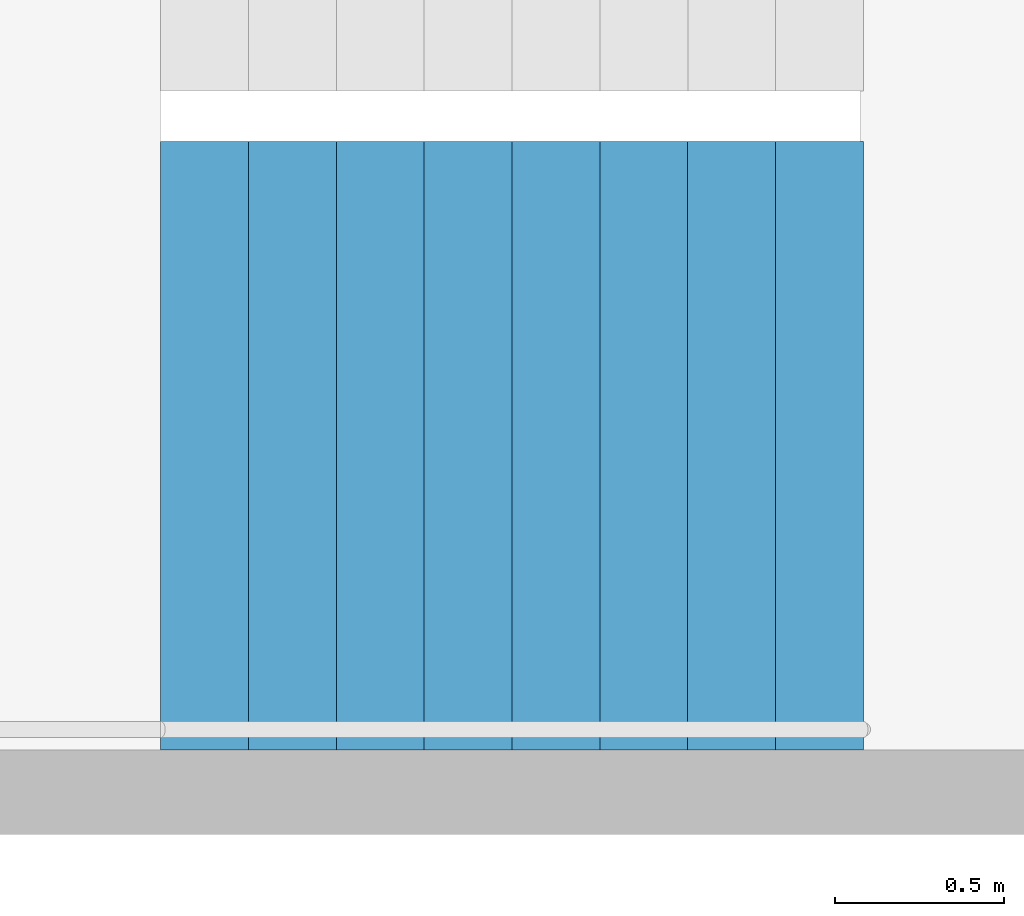
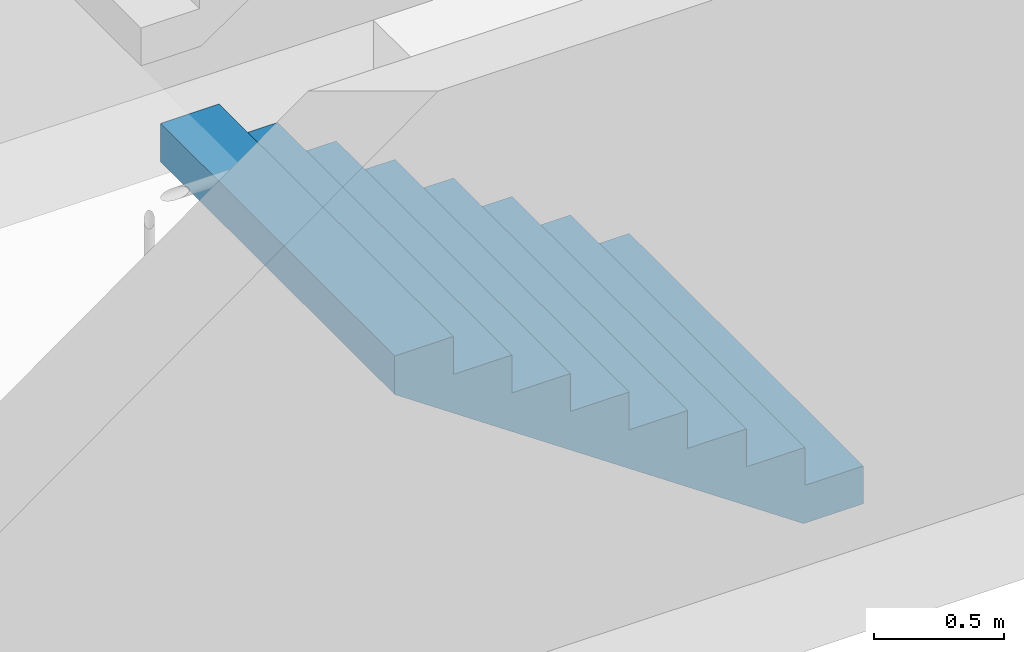
# One storey, part 27 of 29: 1 stair flight, 1 element without a shape of its own.
"""IFC4 building model written with IfcOpenShell, lengths in metres."""

from ifc_helpers import new_model, si_unit, direction, frame, origin, place, context, subcontext, project, spatial, triangles, material, type_object, element, aggregate, save


model = new_model("IFC4")

# Units and contexts
model_context = context("Model", 3, precision=1e-05, world=origin(), true_north=direction((0.0, 1.0)))
body_context = subcontext(model_context, "Body", "Model", "MODEL_VIEW")
ifc_project = project(units=[si_unit("LENGTHUNIT", "METRE"), si_unit("AREAUNIT", "SQUARE_METRE"), si_unit("VOLUMEUNIT", "CUBIC_METRE"), si_unit("PLANEANGLEUNIT", "RADIAN"), si_unit("MASSUNIT", "GRAM", prefix="KILO")], contexts=[model_context])

# Site, building, storey
site_placement = place(None, origin())
site = spatial("IfcSite", under=ifc_project, at=site_placement, CompositionType="ELEMENT")
building_placement = place(site_placement, origin())
building = spatial("IfcBuilding", under=site, at=building_placement, Name="Hakoniwa Tower and Hamabe Station Hall", CompositionType="ELEMENT")
storey_placement = place(building_placement, frame((0.0, 0.0, 85.0)))
storey = spatial("IfcBuildingStorey", under=building, at=storey_placement, Name="L23", CompositionType="ELEMENT", Elevation=85.0)

# Stair, stair flight
ifc_material_1 = material(Name="Concrete C40", Category="concrete")
stair_type = type_object("IfcStairType", Name="ESCAPE STAIR 1800", PredefinedType="HALF_TURN_STAIR", material=ifc_material_1)
stair_placement = place(storey_placement, origin())
stair = element("IfcStair", 1, at=stair_placement, inside=storey, type_object=stair_type, Name="Escape stair ST-3 L23", PredefinedType="HALF_TURN_STAIR")
ifc_material_2 = material(Name="Concrete C40", Category="concrete")
stair_flight_type = type_object("IfcStairFlightType", Name="STAIR FLIGHT 1800", PredefinedType="STRAIGHT", material=ifc_material_2)
stair_flight_placement = place(storey_placement, frame((24.39990234375, 4.64990234375, 0.0), z_axis=(0.0, 0.0, 1.0), x_axis=(-1.0, 0.0, 0.0)))
stair_flight = element("IfcStairFlight", 2, at=stair_flight_placement, type_object=stair_flight_type, Name="ST-3 flight 1", NumberOfRisers=9, NumberOfTreads=8, PredefinedType="STRAIGHT", RiserHeight=0.177777778, TreadLength=0.26, context=body_context, shape_type="Tessellation", body=[
    triangles([(0.0, 0.89990234375, 0.0), (0.260009765625, 0.89990234375, 0.0), (0.265625, 0.89990234375, 0.0), (0.52001953125, 0.89990234375, 0.174072265625), (0.780029296875, 0.89990234375, 0.351806640625), (1.0400390625, 0.89990234375, 0.529541015625), (1.300048828125, 0.89990234375, 0.707275390625), (1.56005859375, 0.89990234375, 0.885009765625), (1.820068359375, 0.89990234375, 1.062744140625), (2.080078125, 0.89990234375, 1.24072265625), (2.080078125, 0.89990234375, 1.422119140625), (1.820068359375, 0.89990234375, 1.422119140625), (1.820068359375, 0.89990234375, 1.244384765625), (1.56005859375, 0.89990234375, 1.244384765625), (1.56005859375, 0.89990234375, 1.066650390625), (1.300048828125, 0.89990234375, 1.066650390625), (1.300048828125, 0.89990234375, 0.888916015625), (1.0400390625, 0.89990234375, 0.888916015625), (1.0400390625, 0.89990234375, 0.711181640625), (0.780029296875, 0.89990234375, 0.711181640625), (0.780029296875, 0.89990234375, 0.533447265625), (0.52001953125, 0.89990234375, 0.533447265625), (0.52001953125, 0.89990234375, 0.35546875), (0.265625, 0.89990234375, 0.35546875), (0.260009765625, 0.89990234375, 0.35546875), (0.260009765625, 0.89990234375, 0.177734375), (0.0, 0.89990234375, 0.177734375), (0.0, 0.06005859375, 0.0), (0.260009765625, 0.06005859375, 0.0), (0.265625, 0.06005859375, 0.0), (0.52001953125, 0.06005859375, 0.174072265625), (0.780029296875, 0.06005859375, 0.351806640625), (1.0400390625, 0.06005859375, 0.529541015625), (1.300048828125, 0.06005859375, 0.707275390625), (1.56005859375, 0.06005859375, 0.885009765625), (1.820068359375, 0.06005859375, 1.062744140625), (2.080078125, 0.06005859375, 1.24072265625), (2.080078125, 0.06005859375, 1.422119140625), (1.820068359375, 0.06005859375, 1.422119140625), (1.820068359375, 0.06005859375, 1.244384765625), (1.56005859375, 0.06005859375, 1.244384765625), (1.56005859375, 0.06005859375, 1.066650390625), (1.300048828125, 0.06005859375, 1.066650390625), (1.300048828125, 0.06005859375, 0.888916015625), (1.0400390625, 0.06005859375, 0.888916015625), (1.0400390625, 0.06005859375, 0.711181640625), (0.780029296875, 0.06005859375, 0.711181640625), (0.780029296875, 0.06005859375, 0.533447265625), (0.52001953125, 0.06005859375, 0.533447265625), (0.52001953125, 0.06005859375, 0.35546875), (0.265625, 0.06005859375, 0.35546875), (0.260009765625, 0.06005859375, 0.35546875), (0.260009765625, 0.06005859375, 0.177734375), (0.0, 0.06005859375, 0.177734375), (0.0, 0.04296875, 0.0), (0.260009765625, 0.04296875, 0.0), (0.265625, 0.04296875, 0.0), (0.52001953125, 0.04296875, 0.174072265625), (0.780029296875, 0.04296875, 0.351806640625), (1.0400390625, 0.04296875, 0.529541015625), (1.300048828125, 0.04296875, 0.707275390625), (1.56005859375, 0.04296875, 0.885009765625), (1.820068359375, 0.04296875, 1.062744140625), (2.080078125, 0.04296875, 1.24072265625), (2.080078125, 0.04296875, 1.422119140625), (1.820068359375, 0.04296875, 1.422119140625), (1.820068359375, 0.04296875, 1.244384765625), (1.56005859375, 0.04296875, 1.244384765625), (1.56005859375, 0.04296875, 1.066650390625), (1.300048828125, 0.04296875, 1.066650390625), (1.300048828125, 0.04296875, 0.888916015625), (1.0400390625, 0.04296875, 0.888916015625), (1.0400390625, 0.04296875, 0.711181640625), (0.780029296875, 0.04296875, 0.711181640625), (0.780029296875, 0.04296875, 0.533447265625), (0.52001953125, 0.04296875, 0.533447265625), (0.52001953125, 0.04296875, 0.35546875), (0.265625, 0.04296875, 0.35546875), (0.260009765625, 0.04296875, 0.35546875), (0.260009765625, 0.04296875, 0.177734375), (0.0, 0.04296875, 0.177734375), (0.0, 0.025634765625, 0.0), (0.260009765625, 0.025634765625, 0.0), (0.265625, 0.025634765625, 0.0), (0.52001953125, 0.025634765625, 0.174072265625), (0.780029296875, 0.025634765625, 0.351806640625), (1.0400390625, 0.025634765625, 0.529541015625), (1.300048828125, 0.025634765625, 0.707275390625), (1.56005859375, 0.025634765625, 0.885009765625), (1.820068359375, 0.025634765625, 1.062744140625), (2.080078125, 0.025634765625, 1.24072265625), (2.080078125, 0.025634765625, 1.422119140625), (1.820068359375, 0.025634765625, 1.422119140625), (1.820068359375, 0.025634765625, 1.244384765625), (1.56005859375, 0.025634765625, 1.244384765625), (1.56005859375, 0.025634765625, 1.066650390625), (1.300048828125, 0.025634765625, 1.066650390625), (1.300048828125, 0.025634765625, 0.888916015625), (1.0400390625, 0.025634765625, 0.888916015625), (1.0400390625, 0.025634765625, 0.711181640625), (0.780029296875, 0.025634765625, 0.711181640625), (0.780029296875, 0.025634765625, 0.533447265625), (0.52001953125, 0.025634765625, 0.533447265625), (0.52001953125, 0.025634765625, 0.35546875), (0.265625, 0.025634765625, 0.35546875), (0.260009765625, 0.025634765625, 0.35546875), (0.260009765625, 0.025634765625, 0.177734375), (0.0, 0.025634765625, 0.177734375), (0.0, 0.008544921875, 0.0), (0.260009765625, 0.008544921875, 0.0), (0.265625, 0.008544921875, 0.0), (0.52001953125, 0.008544921875, 0.174072265625), (0.780029296875, 0.008544921875, 0.351806640625), (1.0400390625, 0.008544921875, 0.529541015625), (1.300048828125, 0.008544921875, 0.707275390625), (1.56005859375, 0.008544921875, 0.885009765625), (1.820068359375, 0.008544921875, 1.062744140625), (2.080078125, 0.008544921875, 1.24072265625), (2.080078125, 0.008544921875, 1.422119140625), (1.820068359375, 0.008544921875, 1.422119140625), (1.820068359375, 0.008544921875, 1.244384765625), (1.56005859375, 0.008544921875, 1.244384765625), (1.56005859375, 0.008544921875, 1.066650390625), (1.300048828125, 0.008544921875, 1.066650390625), (1.300048828125, 0.008544921875, 0.888916015625), (1.0400390625, 0.008544921875, 0.888916015625), (1.0400390625, 0.008544921875, 0.711181640625), (0.780029296875, 0.008544921875, 0.711181640625), (0.780029296875, 0.008544921875, 0.533447265625), (0.52001953125, 0.008544921875, 0.533447265625), (0.52001953125, 0.008544921875, 0.35546875), (0.265625, 0.008544921875, 0.35546875), (0.260009765625, 0.008544921875, 0.35546875), (0.260009765625, 0.008544921875, 0.177734375), (0.0, 0.008544921875, 0.177734375), (0.0, -0.008544921875, 0.0), (0.260009765625, -0.008544921875, 0.0), (0.265625, -0.008544921875, 0.0), (0.52001953125, -0.008544921875, 0.174072265625), (0.780029296875, -0.008544921875, 0.351806640625), (1.0400390625, -0.008544921875, 0.529541015625), (1.300048828125, -0.008544921875, 0.707275390625), (1.56005859375, -0.008544921875, 0.885009765625), (1.820068359375, -0.008544921875, 1.062744140625), (2.080078125, -0.008544921875, 1.24072265625), (2.080078125, -0.008544921875, 1.422119140625), (1.820068359375, -0.008544921875, 1.422119140625), (1.820068359375, -0.008544921875, 1.244384765625), (1.56005859375, -0.008544921875, 1.244384765625), (1.56005859375, -0.008544921875, 1.066650390625), (1.300048828125, -0.008544921875, 1.066650390625), (1.300048828125, -0.008544921875, 0.888916015625), (1.0400390625, -0.008544921875, 0.888916015625), (1.0400390625, -0.008544921875, 0.711181640625), (0.780029296875, -0.008544921875, 0.711181640625), (0.780029296875, -0.008544921875, 0.533447265625), (0.52001953125, -0.008544921875, 0.533447265625), (0.52001953125, -0.008544921875, 0.35546875), (0.265625, -0.008544921875, 0.35546875), (0.260009765625, -0.008544921875, 0.35546875), (0.260009765625, -0.008544921875, 0.177734375), (0.0, -0.008544921875, 0.177734375), (0.0, -0.025634765625, 0.0), (0.260009765625, -0.025634765625, 0.0), (0.265625, -0.025634765625, 0.0), (0.52001953125, -0.025634765625, 0.174072265625), (0.780029296875, -0.025634765625, 0.351806640625), (1.0400390625, -0.025634765625, 0.529541015625), (1.300048828125, -0.025634765625, 0.707275390625), (1.56005859375, -0.025634765625, 0.885009765625), (1.820068359375, -0.025634765625, 1.062744140625), (2.080078125, -0.025634765625, 1.24072265625), (2.080078125, -0.025634765625, 1.422119140625), (1.820068359375, -0.025634765625, 1.422119140625), (1.820068359375, -0.025634765625, 1.244384765625), (1.56005859375, -0.025634765625, 1.244384765625), (1.56005859375, -0.025634765625, 1.066650390625), (1.300048828125, -0.025634765625, 1.066650390625), (1.300048828125, -0.025634765625, 0.888916015625), (1.0400390625, -0.025634765625, 0.888916015625), (1.0400390625, -0.025634765625, 0.711181640625), (0.780029296875, -0.025634765625, 0.711181640625), (0.780029296875, -0.025634765625, 0.533447265625), (0.52001953125, -0.025634765625, 0.533447265625), (0.52001953125, -0.025634765625, 0.35546875), (0.265625, -0.025634765625, 0.35546875), (0.260009765625, -0.025634765625, 0.35546875), (0.260009765625, -0.025634765625, 0.177734375), (0.0, -0.025634765625, 0.177734375), (0.0, -0.04296875, 0.0), (0.260009765625, -0.04296875, 0.0), (0.265625, -0.04296875, 0.0), (0.52001953125, -0.04296875, 0.174072265625), (0.780029296875, -0.04296875, 0.351806640625), (1.0400390625, -0.04296875, 0.529541015625), (1.300048828125, -0.04296875, 0.707275390625), (1.56005859375, -0.04296875, 0.885009765625), (1.820068359375, -0.04296875, 1.062744140625), (2.080078125, -0.04296875, 1.24072265625), (2.080078125, -0.04296875, 1.422119140625), (1.820068359375, -0.04296875, 1.422119140625), (1.820068359375, -0.04296875, 1.244384765625), (1.56005859375, -0.04296875, 1.244384765625), (1.56005859375, -0.04296875, 1.066650390625), (1.300048828125, -0.04296875, 1.066650390625), (1.300048828125, -0.04296875, 0.888916015625), (1.0400390625, -0.04296875, 0.888916015625), (1.0400390625, -0.04296875, 0.711181640625), (0.780029296875, -0.04296875, 0.711181640625), (0.780029296875, -0.04296875, 0.533447265625), (0.52001953125, -0.04296875, 0.533447265625), (0.52001953125, -0.04296875, 0.35546875), (0.265625, -0.04296875, 0.35546875), (0.260009765625, -0.04296875, 0.35546875), (0.260009765625, -0.04296875, 0.177734375), (0.0, -0.04296875, 0.177734375), (0.0, -0.06005859375, 0.0), (0.260009765625, -0.06005859375, 0.0), (0.265625, -0.06005859375, 0.0), (0.52001953125, -0.06005859375, 0.174072265625), (0.780029296875, -0.06005859375, 0.351806640625), (1.0400390625, -0.06005859375, 0.529541015625), (1.300048828125, -0.06005859375, 0.707275390625), (1.56005859375, -0.06005859375, 0.885009765625), (1.820068359375, -0.06005859375, 1.062744140625), (2.080078125, -0.06005859375, 1.24072265625), (2.080078125, -0.06005859375, 1.422119140625), (1.820068359375, -0.06005859375, 1.422119140625), (1.820068359375, -0.06005859375, 1.244384765625), (1.56005859375, -0.06005859375, 1.244384765625), (1.56005859375, -0.06005859375, 1.066650390625), (1.300048828125, -0.06005859375, 1.066650390625), (1.300048828125, -0.06005859375, 0.888916015625), (1.0400390625, -0.06005859375, 0.888916015625), (1.0400390625, -0.06005859375, 0.711181640625), (0.780029296875, -0.06005859375, 0.711181640625), (0.780029296875, -0.06005859375, 0.533447265625), (0.52001953125, -0.06005859375, 0.533447265625), (0.52001953125, -0.06005859375, 0.35546875), (0.265625, -0.06005859375, 0.35546875), (0.260009765625, -0.06005859375, 0.35546875), (0.260009765625, -0.06005859375, 0.177734375), (0.0, -0.06005859375, 0.177734375), (0.0, -0.89990234375, 0.0), (0.260009765625, -0.89990234375, 0.0), (0.265625, -0.89990234375, 0.0), (0.52001953125, -0.89990234375, 0.174072265625), (0.780029296875, -0.89990234375, 0.351806640625), (1.0400390625, -0.89990234375, 0.529541015625), (1.300048828125, -0.89990234375, 0.707275390625), (1.56005859375, -0.89990234375, 0.885009765625), (1.820068359375, -0.89990234375, 1.062744140625), (2.080078125, -0.89990234375, 1.24072265625), (2.080078125, -0.89990234375, 1.422119140625), (1.820068359375, -0.89990234375, 1.422119140625), (1.820068359375, -0.89990234375, 1.244384765625), (1.56005859375, -0.89990234375, 1.244384765625), (1.56005859375, -0.89990234375, 1.066650390625), (1.300048828125, -0.89990234375, 1.066650390625), (1.300048828125, -0.89990234375, 0.888916015625), (1.0400390625, -0.89990234375, 0.888916015625), (1.0400390625, -0.89990234375, 0.711181640625), (0.780029296875, -0.89990234375, 0.711181640625), (0.780029296875, -0.89990234375, 0.533447265625), (0.52001953125, -0.89990234375, 0.533447265625), (0.52001953125, -0.89990234375, 0.35546875), (0.265625, -0.89990234375, 0.35546875), (0.260009765625, -0.89990234375, 0.35546875), (0.260009765625, -0.89990234375, 0.177734375), (0.0, -0.89990234375, 0.177734375)], [[2, 27, 26], [245, 269, 270], [2, 1, 27], [245, 270, 244], [3, 25, 24], [246, 267, 268], [3, 26, 25], [246, 268, 269], [3, 2, 26], [246, 269, 245], [4, 24, 23], [247, 266, 267], [4, 3, 24], [247, 267, 246], [5, 22, 21], [248, 264, 265], [5, 23, 22], [248, 265, 266], [5, 4, 23], [248, 266, 247], [6, 20, 19], [249, 262, 263], [6, 21, 20], [249, 263, 264], [6, 5, 21], [249, 264, 248], [7, 18, 17], [250, 260, 261], [7, 19, 18], [250, 261, 262], [7, 6, 19], [250, 262, 249], [8, 16, 15], [251, 258, 259], [8, 17, 16], [251, 259, 260], [8, 7, 17], [251, 260, 250], [9, 14, 13], [252, 256, 257], [9, 15, 14], [252, 257, 258], [9, 8, 15], [252, 258, 251], [10, 12, 11], [253, 254, 255], [10, 13, 12], [253, 255, 256], [10, 9, 13], [253, 256, 252], [1, 2, 29], [1, 29, 28], [28, 29, 56], [28, 56, 55], [55, 56, 83], [55, 83, 82], [82, 83, 110], [82, 110, 109], [109, 110, 137], [109, 137, 136], [136, 137, 164], [136, 164, 163], [163, 164, 191], [163, 191, 190], [190, 191, 218], [190, 218, 217], [217, 218, 245], [217, 245, 244], [2, 3, 30], [2, 30, 29], [29, 30, 57], [29, 57, 56], [56, 57, 84], [56, 84, 83], [83, 84, 111], [83, 111, 110], [110, 111, 138], [110, 138, 137], [137, 138, 165], [137, 165, 164], [164, 165, 192], [164, 192, 191], [191, 192, 219], [191, 219, 218], [218, 219, 246], [218, 246, 245], [3, 4, 31], [3, 31, 30], [30, 31, 58], [30, 58, 57], [57, 58, 85], [57, 85, 84], [84, 85, 112], [84, 112, 111], [111, 112, 139], [111, 139, 138], [138, 139, 166], [138, 166, 165], [165, 166, 193], [165, 193, 192], [192, 193, 220], [192, 220, 219], [219, 220, 247], [219, 247, 246], [4, 5, 32], [4, 32, 31], [31, 32, 59], [31, 59, 58], [58, 59, 86], [58, 86, 85], [85, 86, 113], [85, 113, 112], [112, 113, 140], [112, 140, 139], [139, 140, 167], [139, 167, 166], [166, 167, 194], [166, 194, 193], [193, 194, 221], [193, 221, 220], [220, 221, 248], [220, 248, 247], [5, 6, 33], [5, 33, 32], [32, 33, 60], [32, 60, 59], [59, 60, 87], [59, 87, 86], [86, 87, 114], [86, 114, 113], [113, 114, 141], [113, 141, 140], [140, 141, 168], [140, 168, 167], [167, 168, 195], [167, 195, 194], [194, 195, 222], [194, 222, 221], [221, 222, 249], [221, 249, 248], [6, 7, 34], [6, 34, 33], [33, 34, 61], [33, 61, 60], [60, 61, 88], [60, 88, 87], [87, 88, 115], [87, 115, 114], [114, 115, 142], [114, 142, 141], [141, 142, 169], [141, 169, 168], [168, 169, 196], [168, 196, 195], [195, 196, 223], [195, 223, 222], [222, 223, 250], [222, 250, 249], [7, 8, 35], [7, 35, 34], [34, 35, 62], [34, 62, 61], [61, 62, 89], [61, 89, 88], [88, 89, 116], [88, 116, 115], [115, 116, 143], [115, 143, 142], [142, 143, 170], [142, 170, 169], [169, 170, 197], [169, 197, 196], [196, 197, 224], [196, 224, 223], [223, 224, 251], [223, 251, 250], [8, 9, 36], [8, 36, 35], [35, 36, 63], [35, 63, 62], [62, 63, 90], [62, 90, 89], [89, 90, 117], [89, 117, 116], [116, 117, 144], [116, 144, 143], [143, 144, 171], [143, 171, 170], [170, 171, 198], [170, 198, 197], [197, 198, 225], [197, 225, 224], [224, 225, 252], [224, 252, 251], [9, 10, 37], [9, 37, 36], [36, 37, 64], [36, 64, 63], [63, 64, 91], [63, 91, 90], [90, 91, 118], [90, 118, 117], [117, 118, 145], [117, 145, 144], [144, 145, 172], [144, 172, 171], [171, 172, 199], [171, 199, 198], [198, 199, 226], [198, 226, 225], [225, 226, 253], [225, 253, 252], [10, 11, 38], [10, 38, 37], [37, 38, 65], [37, 65, 64], [64, 65, 92], [64, 92, 91], [91, 92, 119], [91, 119, 118], [118, 119, 146], [118, 146, 145], [145, 146, 173], [145, 173, 172], [172, 173, 200], [172, 200, 199], [199, 200, 227], [199, 227, 226], [226, 227, 254], [226, 254, 253], [11, 12, 39], [11, 39, 38], [38, 39, 66], [38, 66, 65], [65, 66, 93], [65, 93, 92], [92, 93, 120], [92, 120, 119], [119, 120, 147], [119, 147, 146], [146, 147, 174], [146, 174, 173], [173, 174, 201], [173, 201, 200], [200, 201, 228], [200, 228, 227], [227, 228, 255], [227, 255, 254], [12, 13, 40], [12, 40, 39], [39, 40, 67], [39, 67, 66], [66, 67, 94], [66, 94, 93], [93, 94, 121], [93, 121, 120], [120, 121, 148], [120, 148, 147], [147, 148, 175], [147, 175, 174], [174, 175, 202], [174, 202, 201], [201, 202, 229], [201, 229, 228], [228, 229, 256], [228, 256, 255], [13, 14, 41], [13, 41, 40], [40, 41, 68], [40, 68, 67], [67, 68, 95], [67, 95, 94], [94, 95, 122], [94, 122, 121], [121, 122, 149], [121, 149, 148], [148, 149, 176], [148, 176, 175], [175, 176, 203], [175, 203, 202], [202, 203, 230], [202, 230, 229], [229, 230, 257], [229, 257, 256], [14, 15, 42], [14, 42, 41], [41, 42, 69], [41, 69, 68], [68, 69, 96], [68, 96, 95], [95, 96, 123], [95, 123, 122], [122, 123, 150], [122, 150, 149], [149, 150, 177], [149, 177, 176], [176, 177, 204], [176, 204, 203], [203, 204, 231], [203, 231, 230], [230, 231, 258], [230, 258, 257], [15, 16, 43], [15, 43, 42], [42, 43, 70], [42, 70, 69], [69, 70, 97], [69, 97, 96], [96, 97, 124], [96, 124, 123], [123, 124, 151], [123, 151, 150], [150, 151, 178], [150, 178, 177], [177, 178, 205], [177, 205, 204], [204, 205, 232], [204, 232, 231], [231, 232, 259], [231, 259, 258], [16, 17, 44], [16, 44, 43], [43, 44, 71], [43, 71, 70], [70, 71, 98], [70, 98, 97], [97, 98, 125], [97, 125, 124], [124, 125, 152], [124, 152, 151], [151, 152, 179], [151, 179, 178], [178, 179, 206], [178, 206, 205], [205, 206, 233], [205, 233, 232], [232, 233, 260], [232, 260, 259], [17, 18, 45], [17, 45, 44], [44, 45, 72], [44, 72, 71], [71, 72, 99], [71, 99, 98], [98, 99, 126], [98, 126, 125], [125, 126, 153], [125, 153, 152], [152, 153, 180], [152, 180, 179], [179, 180, 207], [179, 207, 206], [206, 207, 234], [206, 234, 233], [233, 234, 261], [233, 261, 260], [18, 19, 46], [18, 46, 45], [45, 46, 73], [45, 73, 72], [72, 73, 100], [72, 100, 99], [99, 100, 127], [99, 127, 126], [126, 127, 154], [126, 154, 153], [153, 154, 181], [153, 181, 180], [180, 181, 208], [180, 208, 207], [207, 208, 235], [207, 235, 234], [234, 235, 262], [234, 262, 261], [19, 20, 47], [19, 47, 46], [46, 47, 74], [46, 74, 73], [73, 74, 101], [73, 101, 100], [100, 101, 128], [100, 128, 127], [127, 128, 155], [127, 155, 154], [154, 155, 182], [154, 182, 181], [181, 182, 209], [181, 209, 208], [208, 209, 236], [208, 236, 235], [235, 236, 263], [235, 263, 262], [20, 21, 48], [20, 48, 47], [47, 48, 75], [47, 75, 74], [74, 75, 102], [74, 102, 101], [101, 102, 129], [101, 129, 128], [128, 129, 156], [128, 156, 155], [155, 156, 183], [155, 183, 182], [182, 183, 210], [182, 210, 209], [209, 210, 237], [209, 237, 236], [236, 237, 264], [236, 264, 263], [21, 22, 49], [21, 49, 48], [48, 49, 76], [48, 76, 75], [75, 76, 103], [75, 103, 102], [102, 103, 130], [102, 130, 129], [129, 130, 157], [129, 157, 156], [156, 157, 184], [156, 184, 183], [183, 184, 211], [183, 211, 210], [210, 211, 238], [210, 238, 237], [237, 238, 265], [237, 265, 264], [22, 23, 50], [22, 50, 49], [49, 50, 77], [49, 77, 76], [76, 77, 104], [76, 104, 103], [103, 104, 131], [103, 131, 130], [130, 131, 158], [130, 158, 157], [157, 158, 185], [157, 185, 184], [184, 185, 212], [184, 212, 211], [211, 212, 239], [211, 239, 238], [238, 239, 266], [238, 266, 265], [23, 24, 51], [23, 51, 50], [50, 51, 78], [50, 78, 77], [77, 78, 105], [77, 105, 104], [104, 105, 132], [104, 132, 131], [131, 132, 159], [131, 159, 158], [158, 159, 186], [158, 186, 185], [185, 186, 213], [185, 213, 212], [212, 213, 240], [212, 240, 239], [239, 240, 267], [239, 267, 266], [24, 25, 52], [24, 52, 51], [51, 52, 79], [51, 79, 78], [78, 79, 106], [78, 106, 105], [105, 106, 133], [105, 133, 132], [132, 133, 160], [132, 160, 159], [159, 160, 187], [159, 187, 186], [186, 187, 214], [186, 214, 213], [213, 214, 241], [213, 241, 240], [240, 241, 268], [240, 268, 267], [25, 26, 53], [25, 53, 52], [52, 53, 80], [52, 80, 79], [79, 80, 107], [79, 107, 106], [106, 107, 134], [106, 134, 133], [133, 134, 161], [133, 161, 160], [160, 161, 188], [160, 188, 187], [187, 188, 215], [187, 215, 214], [214, 215, 242], [214, 242, 241], [241, 242, 269], [241, 269, 268], [26, 27, 54], [26, 54, 53], [53, 54, 81], [53, 81, 80], [80, 81, 108], [80, 108, 107], [107, 108, 135], [107, 135, 134], [134, 135, 162], [134, 162, 161], [161, 162, 189], [161, 189, 188], [188, 189, 216], [188, 216, 215], [215, 216, 243], [215, 243, 242], [242, 243, 270], [242, 270, 269], [27, 1, 28], [27, 28, 54], [54, 28, 55], [54, 55, 81], [81, 55, 82], [81, 82, 108], [108, 82, 109], [108, 109, 135], [135, 109, 136], [135, 136, 162], [162, 136, 163], [162, 163, 189], [189, 163, 190], [189, 190, 216], [216, 190, 217], [216, 217, 243], [243, 217, 244], [243, 244, 270]], closed=True),
])
aggregate(stair, [stair_flight])

save(model, "model.ifc")
